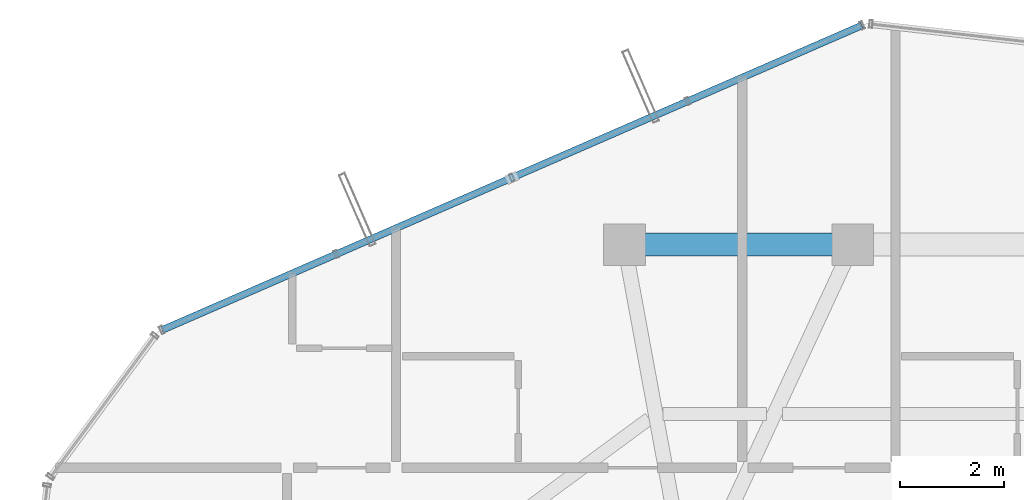
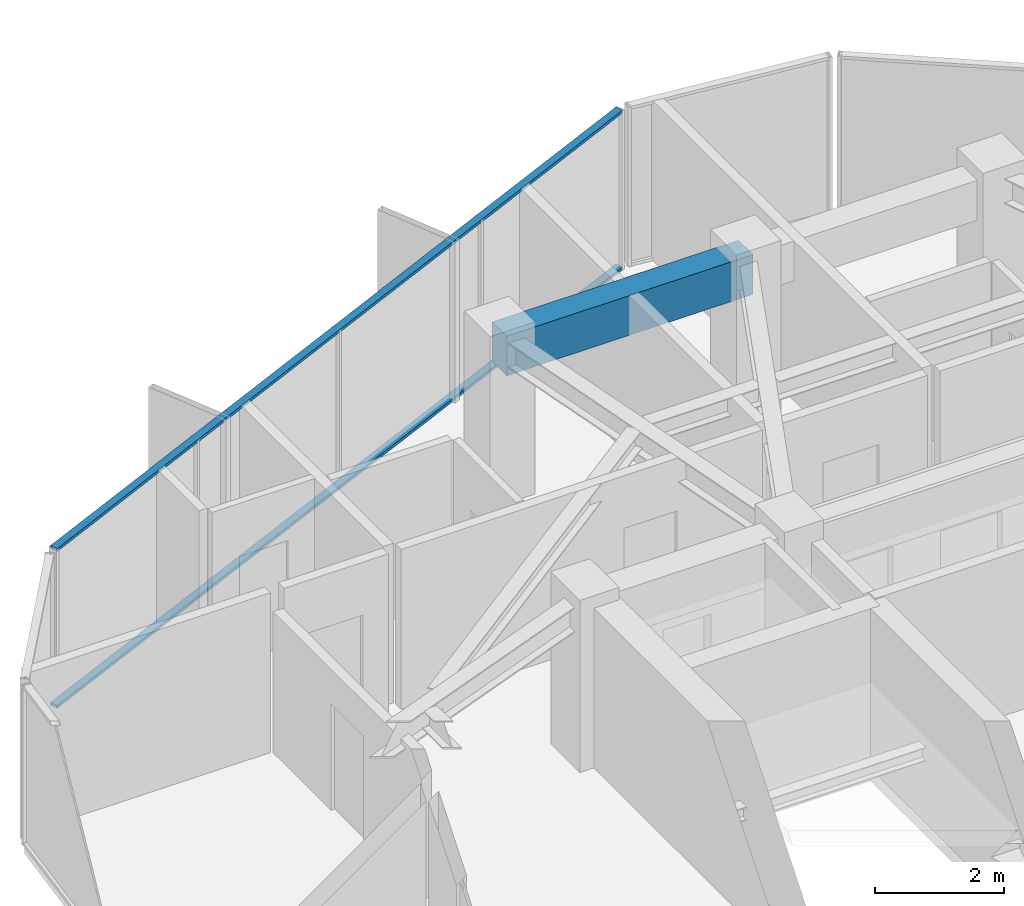
# One storey, part 23 of 30: 2 members, 1 beam, 1 element without a shape of its own.
"""IFC4 building model written with IfcOpenShell, lengths in metres."""

from ifc_helpers import new_model, si_unit, direction, frame, origin, origin_2d, place, context, subcontext, project, spatial, rectangle, hollow_rectangle, extrude, source, transform, mapped, material, layer, layer_set, material_profile, profile_set, type_object, element, aggregate, save


model = new_model("IFC4")

# Units and contexts
model_context = context("Model", 3, precision=1e-05, world=origin(), true_north=direction((0.0, 1.0)))
body_context = subcontext(model_context, "Body", "Model", "MODEL_VIEW")
ifc_project = project(units=[si_unit("LENGTHUNIT", "METRE"), si_unit("AREAUNIT", "SQUARE_METRE"), si_unit("VOLUMEUNIT", "CUBIC_METRE"), si_unit("PLANEANGLEUNIT", "RADIAN"), si_unit("MASSUNIT", "GRAM", prefix="KILO")], contexts=[model_context])

# Site, building, storey
site_placement = place(None, origin())
site = spatial("IfcSite", under=ifc_project, at=site_placement, CompositionType="ELEMENT")
building_placement = place(site_placement, origin())
building = spatial("IfcBuilding", under=site, at=building_placement, Name="Veraguas Prism Commons", CompositionType="ELEMENT")
storey_placement = place(building_placement, frame((0.0, 0.0, 230.050048828125)))
storey = spatial("IfcBuildingStorey", under=building, at=storey_placement, Name="L65", CompositionType="ELEMENT", Elevation=230.050048828125)

# Beam
ifc_material_1 = material(Name="Concrete C50/60", Category="concrete")
ifc_material_profile_1 = material_profile(ifc_material_1, rectangle(XDim=0.449951171875, YDim=0.75, at=origin_2d()), Name="RC450X750")
ifc_profile_set_1 = profile_set([ifc_material_profile_1], Name="Concrete C50/60")
beam_type = type_object("IfcBeamType", Name="Perimeter Spandrel Upper RC 450x750", PredefinedType="SPANDREL", material=ifc_profile_set_1)
beam_placement = place(storey_placement, frame((24.0, 37.800048828125, 2.639892578125), z_axis=(-1.0, 0.0, 0.0), x_axis=(0.0, -1.0, 0.0)))
element("IfcBeam", 1, at=beam_placement, inside=storey, type_object=beam_type, Name="Perimeter Spandrel Beam L65-SP05", PredefinedType="SPANDREL", context=body_context, shape_type="SweptSolid", body=[
    extrude(rectangle(XDim=0.449951171875, YDim=0.75, at=origin_2d()), origin(), (0.0, 0.0, 1.0), 4.39990234375),
])

# Curtain wall, members
ifc_material_2 = material(Name="Anodised aluminium EN AW-6063 T6", Category="aluminium")
ifc_layer = layer(ifc_material_2, 0.14990234375, Name="Unitised Flush Curtain Wall Zone 4", Category="aluminium")
ifc_layer_set = layer_set([ifc_layer], Name="Anodised aluminium EN AW-6063 T6")
curtain_wall_type = type_object("IfcCurtainWallType", Name="Unitised Flush Curtain Wall Zone 4", PredefinedType="NOTDEFINED", material=ifc_layer_set)
curtain_wall_placement = place(storey_placement, origin())
curtain_wall = element("IfcCurtainWall", 2, at=curtain_wall_placement, inside=storey, type_object=curtain_wall_type, Name="Tower Facade Curtain Wall L65-F2", PredefinedType="NOTDEFINED")
ifc_material_profile_2 = material_profile(ifc_material_2, hollow_rectangle(XDim=0.054931640625, YDim=0.135009765625, WallThickness=0.0029296875, at=origin_2d()), Name="AL55X135X3")
ifc_profile_set_2 = profile_set([ifc_material_profile_2], Name="Anodised aluminium EN AW-6063 T6")
member_type = type_object("IfcMemberType", Name="Curtain Wall Transom Standard AL 55x135x3", PredefinedType="USERDEFINED", material=ifc_profile_set_2)
shared_shape = source(origin(), body_context, "Body", "SweptSolid", [
    extrude(hollow_rectangle(XDim=0.054931640625, YDim=0.135009765625, WallThickness=0.0029296875, at=origin_2d()), origin(), (0.0, 0.0, 1.0), 14.70654296875),
])
member_1_placement = place(storey_placement, frame((24.17578125, 42.02197265625, 0.02734375), z_axis=(-0.916920345569, -0.399070269352, 0.0), x_axis=(0.0, 0.0, 1.0)))
member_1 = element("IfcMember", 3, at=member_1_placement, type_object=member_type, Name="CW-Z4 Transom 1", ObjectType="TRANSOM", PredefinedType="USERDEFINED", context=body_context, shape_type="MappedRepresentation", body=[
    mapped(shared_shape, transform((0.0, 0.0, 0.0), scale=1.0)),
])
member_2_placement = place(storey_placement, frame((24.17578125, 42.02197265625, 2.987548828125), z_axis=(-0.916920345569, -0.399070269352, 0.0), x_axis=(0.0, 0.0, 1.0)))
member_2 = element("IfcMember", 4, at=member_2_placement, type_object=member_type, Name="CW-Z4 Transom 2", ObjectType="TRANSOM", PredefinedType="USERDEFINED", context=body_context, shape_type="MappedRepresentation", body=[
    mapped(shared_shape, transform((0.0, 0.0, 0.0), scale=1.0)),
])
aggregate(curtain_wall, [member_1, member_2])

save(model, "model.ifc")
